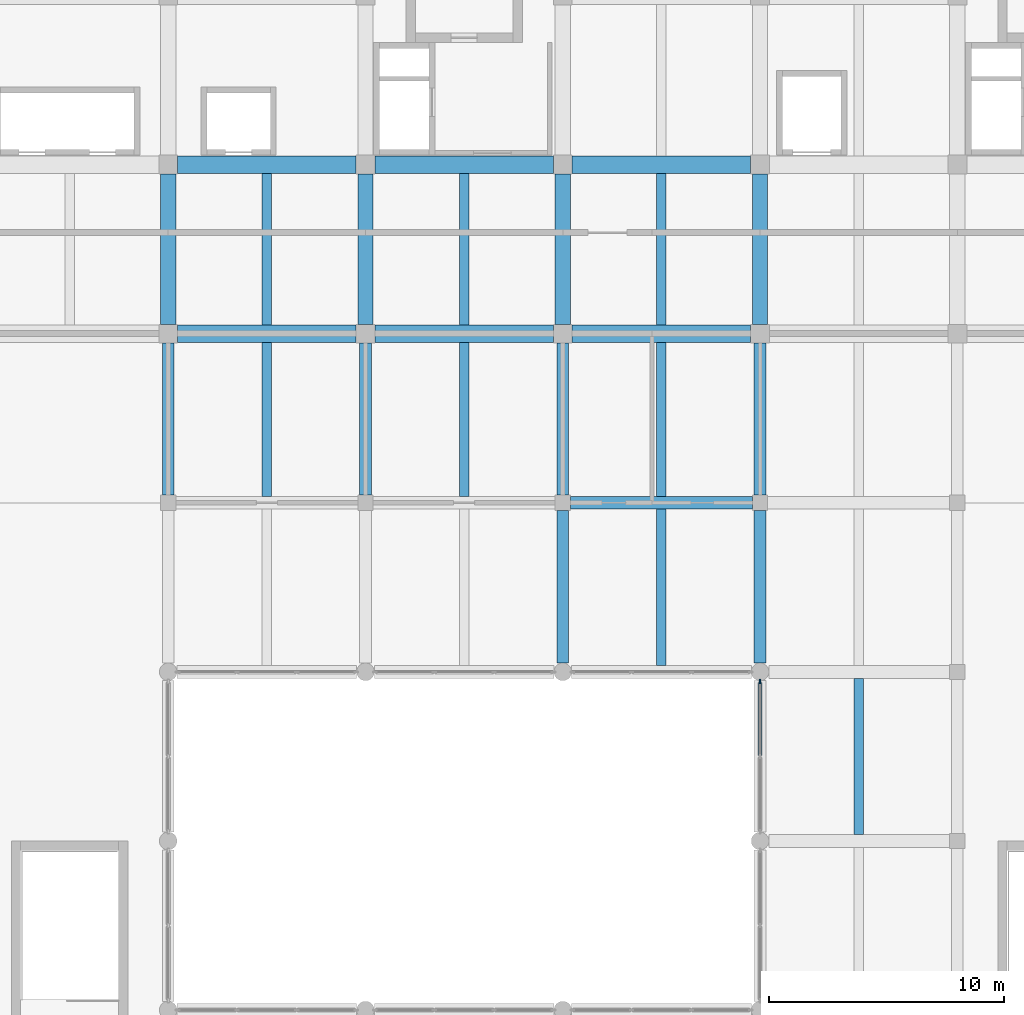
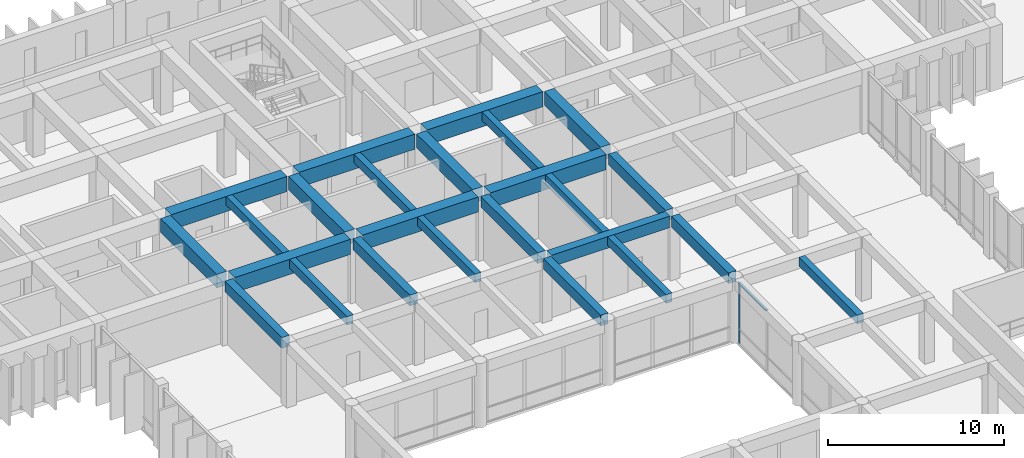
# One storey, part 18 of 40: 25 beams, 2 members, 1 element without a shape of its own.
"""IFC4 building model written with IfcOpenShell, lengths in metres."""

from ifc_helpers import new_model, si_unit, direction, frame, origin, origin_2d, place, context, subcontext, project, spatial, rectangle, extrude, material, material_profile, profile_set, type_object, element, aggregate, save


model = new_model("IFC4")

# Units and contexts
model_context = context("Model", 3, precision=1e-05, world=origin(), true_north=direction((0.0, 1.0)))
body_context = subcontext(model_context, "Body", "Model", "MODEL_VIEW")
ifc_project = project(units=[si_unit("LENGTHUNIT", "METRE"), si_unit("AREAUNIT", "SQUARE_METRE"), si_unit("VOLUMEUNIT", "CUBIC_METRE"), si_unit("PLANEANGLEUNIT", "RADIAN"), si_unit("MASSUNIT", "GRAM", prefix="KILO")], contexts=[model_context])

# Site, building, storey
site_placement = place(None, origin())
site = spatial("IfcSite", under=ifc_project, at=site_placement, CompositionType="ELEMENT")
building_placement = place(site_placement, origin())
building = spatial("IfcBuilding", under=site, at=building_placement, Name="Kenerak Square Central Library", CompositionType="ELEMENT")
storey_placement = place(building_placement, frame((0.0, 0.0, 14.39990234375)))
storey = spatial("IfcBuildingStorey", under=building, at=storey_placement, Name="L03", CompositionType="ELEMENT", Elevation=14.39990234375)

# Beams
ifc_material_1 = material(Name="Concrete C45/55", Category="concrete")
ifc_material_profile_1 = material_profile(ifc_material_1, rectangle(XDim=0.64990234375, YDim=0.949951171875, at=origin_2d()), Name="RC 650x950")
ifc_profile_set_1 = profile_set([ifc_material_profile_1], Name="Concrete C45/55")
beam_type_1 = type_object("IfcBeamType", Name="Book Stack Girder B-02 RC 650x950 C45/55", PredefinedType="BEAM", material=ifc_profile_set_1)
for number, where, z_axis, x_axis, name in (
    (1, (75.199951171875, 89.199951171875, 4.005126953125), (0.0, 1.0, 0.0), (-1.0, 0.0, 0.0), "Beam B-02 L03 1472"),
    (2, (83.60009765625, 89.199951171875, 4.005126953125), (0.0, 1.0, 0.0), (-1.0, 0.0, 0.0), "Beam B-02 L03 1478"),
    (3, (92.0, 89.199951171875, 4.005126953125), (0.0, 1.0, 0.0), (-1.0, 0.0, 0.0), "Beam B-02 L03 1484"),
    (4, (100.39990234375, 89.199951171875, 4.005126953125), (0.0, 1.0, 0.0), (-1.0, 0.0, 0.0), "Beam B-02 L03 1492"),
):
    element("IfcBeam", number, at=place(storey_placement, frame(where, z_axis=z_axis, x_axis=x_axis)), inside=storey, type_object=beam_type_1, Name=name, PredefinedType="BEAM", context=body_context, shape_type="SweptSolid", body=[
        extrude(rectangle(XDim=0.64990234375, YDim=0.949951171875, at=origin_2d()), origin(), (0.0, 0.0, 1.0), 6.400146484375),
    ])
ifc_material_profile_2 = material_profile(ifc_material_1, rectangle(XDim=0.75, YDim=1.050048828125, at=origin_2d()), Name="RC 750x1050")
ifc_profile_set_2 = profile_set([ifc_material_profile_2], Name="Concrete C45/55")
beam_type_2 = type_object("IfcBeamType", Name="Compact Stack Girder B-01 RC 750x1050 C45/55", PredefinedType="BEAM", material=ifc_profile_set_2)
beam_1_placement = place(storey_placement, frame((75.60009765625, 88.800048828125, 3.955078125), z_axis=(1.0, 0.0, 0.0), x_axis=(0.0, 1.0, 0.0)))
element("IfcBeam", 5, at=beam_1_placement, inside=storey, type_object=beam_type_2, Name="Beam B-01 L03 1437", PredefinedType="BEAM", context=body_context, shape_type="SweptSolid", body=[
    extrude(rectangle(XDim=0.75, YDim=1.050048828125, at=origin_2d()), origin(), (0.0, 0.0, 1.0), 7.599853515625),
])
for number, where, z_axis, x_axis, name in (
    (6, (84.0, 88.800048828125, 3.955078125), (1.0, 0.0, 0.0), (0.0, 1.0, 0.0), "Beam B-01 L03 1438"),
    (7, (92.39990234375, 88.800048828125, 3.955078125), (1.0, 0.0, 0.0), (0.0, 1.0, 0.0), "Beam B-01 L03 1439"),
):
    element("IfcBeam", number, at=place(storey_placement, frame(where, z_axis=z_axis, x_axis=x_axis)), inside=storey, type_object=beam_type_2, Name=name, PredefinedType="BEAM", context=body_context, shape_type="SweptSolid", body=[
        extrude(rectangle(XDim=0.75, YDim=1.050048828125, at=origin_2d()), origin(), (0.0, 0.0, 1.0), 7.60009765625),
    ])
beam_2_placement = place(storey_placement, frame((75.60009765625, 96.0, 3.955078125), z_axis=(1.0, 0.0, 0.0), x_axis=(0.0, 1.0, 0.0)))
element("IfcBeam", 8, at=beam_2_placement, inside=storey, type_object=beam_type_2, Name="Beam B-01 L03 1445", PredefinedType="BEAM", context=body_context, shape_type="SweptSolid", body=[
    extrude(rectangle(XDim=0.75, YDim=1.050048828125, at=origin_2d()), origin(), (0.0, 0.0, 1.0), 7.599853515625),
])
for number, where, z_axis, x_axis, name in (
    (9, (84.0, 96.0, 3.955078125), (1.0, 0.0, 0.0), (0.0, 1.0, 0.0), "Beam B-01 L03 1446"),
    (10, (92.39990234375, 96.0, 3.955078125), (1.0, 0.0, 0.0), (0.0, 1.0, 0.0), "Beam B-01 L03 1447"),
):
    element("IfcBeam", number, at=place(storey_placement, frame(where, z_axis=z_axis, x_axis=x_axis)), inside=storey, type_object=beam_type_2, Name=name, PredefinedType="BEAM", context=body_context, shape_type="SweptSolid", body=[
        extrude(rectangle(XDim=0.75, YDim=1.050048828125, at=origin_2d()), origin(), (0.0, 0.0, 1.0), 7.60009765625),
    ])

# Curtain wall, members
ifc_material_2 = material(Name="Intumescent fire-resisting glazing EI 60", Category="glass")
curtain_wall_type = type_object("IfcCurtainWallType", Name="Curtain Wall CW-AT60-64x42 6450x4230", PredefinedType="USERDEFINED", material=ifc_material_2)
curtain_wall_placement = place(storey_placement, origin())
curtain_wall = element("IfcCurtainWall", 11, at=curtain_wall_placement, inside=storey, type_object=curtain_wall_type, Name="Atrium Fire-Rated Glazed Screen CW-AT60-64x42 L03 0171", ObjectType="CURTAIN WALL", PredefinedType="USERDEFINED")
ifc_material_3 = material(Name="Anodised aluminium 6063-T6", Category="aluminium")
ifc_material_profile_3 = material_profile(ifc_material_3, rectangle(XDim=0.070068359375, YDim=0.199951171875, at=origin_2d()), Name="AL MULLION 70x200")
ifc_profile_set_3 = profile_set([ifc_material_profile_3], Name="Anodised aluminium 6063-T6")
member_type_1 = type_object("IfcMemberType", Name="Fire-Rated Glazing Mullion CM-05 70x200", PredefinedType="MULLION", material=ifc_profile_set_3)
member_1_placement = place(storey_placement, frame((100.39990234375, 73.989990234375, 0.0), z_axis=(0.0, 0.0, 1.0), x_axis=(-1.0, 0.0, 0.0)))
member_1 = element("IfcMember", 12, at=member_1_placement, type_object=member_type_1, Name="CW-AT60-64x42 Mullion 3", PredefinedType="MULLION", context=body_context, shape_type="SweptSolid", body=[
    extrude(rectangle(XDim=0.070068359375, YDim=0.199951171875, at=origin_2d()), origin(), (0.0, 0.0, 1.0), 4.22998046875),
])
ifc_material_profile_4 = material_profile(ifc_material_3, rectangle(XDim=0.179931640625, YDim=0.070068359375, at=origin_2d()), Name="AL TRANSOM 180x70")
ifc_profile_set_4 = profile_set([ifc_material_profile_4], Name="Anodised aluminium 6063-T6")
member_type_2 = type_object("IfcMemberType", Name="Fire-Rated Glazing Transom CT-15 180x70", PredefinedType="USERDEFINED", material=ifc_profile_set_4)
member_2_placement = place(storey_placement, frame((100.39990234375, 70.8349609375, 4.195068359375), z_axis=(0.0, 1.0, 0.0), x_axis=(-1.0, 0.0, 0.0)))
member_2 = element("IfcMember", 13, at=member_2_placement, type_object=member_type_2, Name="CW-AT60-64x42 Transom 2.3", ObjectType="TRANSOM", PredefinedType="USERDEFINED", context=body_context, shape_type="SweptSolid", body=[
    extrude(rectangle(XDim=0.179931640625, YDim=0.070068359375, at=origin_2d()), origin(), (0.0, 0.0, 1.0), 3.1201171875),
])
aggregate(curtain_wall, [member_1, member_2])

# Beams
ifc_material_4 = material(Name="Concrete C40/50", Category="concrete")
ifc_material_profile_5 = material_profile(ifc_material_4, rectangle(XDim=0.550048828125, YDim=0.800048828125, at=origin_2d()), Name="RC 550x800")
ifc_profile_set_5 = profile_set([ifc_material_profile_5], Name="Concrete C40/50")
beam_type_3 = type_object("IfcBeamType", Name="Primary Reading Beam B-04 RC 550x800 C40/50", PredefinedType="BEAM", material=ifc_profile_set_5)
beam_3_placement = place(storey_placement, frame((92.324951171875, 81.60009765625, 4.080078125), z_axis=(1.0, 0.0, 0.0), x_axis=(0.0, 1.0, 0.0)))
element("IfcBeam", 14, at=beam_3_placement, inside=storey, type_object=beam_type_3, Name="Beam B-04 L03 1433", PredefinedType="BEAM", context=body_context, shape_type="SweptSolid", body=[
    extrude(rectangle(XDim=0.550048828125, YDim=0.800048828125, at=origin_2d()), origin(), (0.0, 0.0, 1.0), 7.75),
])
ifc_material_profile_6 = material_profile(ifc_material_4, rectangle(XDim=0.39990234375, YDim=0.60009765625, at=origin_2d()), Name="RC 400x600")
ifc_profile_set_6 = profile_set([ifc_material_profile_6], Name="Concrete C40/50")
beam_type_4 = type_object("IfcBeamType", Name="Secondary Floor Joist J-01 RC 400x600 C40/50", PredefinedType="JOIST", material=ifc_profile_set_6)
beam_4_placement = place(storey_placement, frame((79.39990234375, 81.875, 4.18017578125), z_axis=(0.0, 1.0, 0.0), x_axis=(-1.0, 0.0, 0.0)))
element("IfcBeam", 15, at=beam_4_placement, inside=storey, type_object=beam_type_4, Name="Joist J-01 L03 1513", PredefinedType="JOIST", context=body_context, shape_type="SweptSolid", body=[
    extrude(rectangle(XDim=0.39990234375, YDim=0.60009765625, at=origin_2d()), origin(), (0.0, 0.0, 1.0), 6.550048828125),
])
beam_5_placement = place(storey_placement, frame((79.39990234375, 89.175048828125, 4.18017578125), z_axis=(0.0, 1.0, 0.0), x_axis=(-1.0, 0.0, 0.0)))
element("IfcBeam", 16, at=beam_5_placement, inside=storey, type_object=beam_type_4, Name="Joist J-01 L03 1514", PredefinedType="JOIST", context=body_context, shape_type="SweptSolid", body=[
    extrude(rectangle(XDim=0.39990234375, YDim=0.60009765625, at=origin_2d()), origin(), (0.0, 0.0, 1.0), 6.449951171875),
])
beam_6_placement = place(storey_placement, frame((87.800048828125, 81.875, 4.18017578125), z_axis=(0.0, 1.0, 0.0), x_axis=(-1.0, 0.0, 0.0)))
element("IfcBeam", 17, at=beam_6_placement, inside=storey, type_object=beam_type_4, Name="Joist J-01 L03 1517", PredefinedType="JOIST", context=body_context, shape_type="SweptSolid", body=[
    extrude(rectangle(XDim=0.39990234375, YDim=0.60009765625, at=origin_2d()), origin(), (0.0, 0.0, 1.0), 6.550048828125),
])
beam_7_placement = place(storey_placement, frame((87.800048828125, 89.175048828125, 4.18017578125), z_axis=(0.0, 1.0, 0.0), x_axis=(-1.0, 0.0, 0.0)))
element("IfcBeam", 18, at=beam_7_placement, inside=storey, type_object=beam_type_4, Name="Joist J-01 L03 1518", PredefinedType="JOIST", context=body_context, shape_type="SweptSolid", body=[
    extrude(rectangle(XDim=0.39990234375, YDim=0.60009765625, at=origin_2d()), origin(), (0.0, 0.0, 1.0), 6.449951171875),
])
beam_8_placement = place(storey_placement, frame((96.199951171875, 74.675048828125, 4.18017578125), z_axis=(0.0, 1.0, 0.0), x_axis=(-1.0, 0.0, 0.0)))
element("IfcBeam", 19, at=beam_8_placement, inside=storey, type_object=beam_type_4, Name="Joist J-01 L03 1519", PredefinedType="JOIST", context=body_context, shape_type="SweptSolid", body=[
    extrude(rectangle(XDim=0.39990234375, YDim=0.60009765625, at=origin_2d()), origin(), (0.0, 0.0, 1.0), 6.64990234375),
])
beam_9_placement = place(storey_placement, frame((96.199951171875, 81.875, 4.18017578125), z_axis=(0.0, 1.0, 0.0), x_axis=(-1.0, 0.0, 0.0)))
element("IfcBeam", 20, at=beam_9_placement, inside=storey, type_object=beam_type_4, Name="Joist J-01 L03 1520", PredefinedType="JOIST", context=body_context, shape_type="SweptSolid", body=[
    extrude(rectangle(XDim=0.39990234375, YDim=0.60009765625, at=origin_2d()), origin(), (0.0, 0.0, 1.0), 6.550048828125),
])
beam_10_placement = place(storey_placement, frame((96.199951171875, 89.175048828125, 4.18017578125), z_axis=(0.0, 1.0, 0.0), x_axis=(-1.0, 0.0, 0.0)))
element("IfcBeam", 21, at=beam_10_placement, inside=storey, type_object=beam_type_4, Name="Joist J-01 L03 1521", PredefinedType="JOIST", context=body_context, shape_type="SweptSolid", body=[
    extrude(rectangle(XDim=0.39990234375, YDim=0.60009765625, at=origin_2d()), origin(), (0.0, 0.0, 1.0), 6.449951171875),
])
beam_11_placement = place(storey_placement, frame((104.60009765625, 67.47509765625, 4.18017578125), z_axis=(0.0, 1.0, 0.0), x_axis=(-1.0, 0.0, 0.0)))
element("IfcBeam", 22, at=beam_11_placement, inside=storey, type_object=beam_type_4, Name="Joist J-01 L03 1525", PredefinedType="JOIST", context=body_context, shape_type="SweptSolid", body=[
    extrude(rectangle(XDim=0.39990234375, YDim=0.60009765625, at=origin_2d()), origin(), (0.0, 0.0, 1.0), 6.64990234375),
])
ifc_material_profile_7 = material_profile(ifc_material_4, rectangle(XDim=0.5, YDim=0.75, at=origin_2d()), Name="RC 500x750")
ifc_profile_set_7 = profile_set([ifc_material_profile_7], Name="Concrete C40/50")
beam_type_5 = type_object("IfcBeamType", Name="Transverse Frame Beam B-05 RC 500x750 C40/50", PredefinedType="BEAM", material=ifc_profile_set_7)
for number, where, z_axis, x_axis, name in (
    (23, (75.199951171875, 81.925048828125, 4.10498046875), (0.0, 1.0, 0.0), (-1.0, 0.0, 0.0), "Beam B-05 L03 1471"),
    (24, (83.60009765625, 81.925048828125, 4.10498046875), (0.0, 1.0, 0.0), (-1.0, 0.0, 0.0), "Beam B-05 L03 1477"),
):
    element("IfcBeam", number, at=place(storey_placement, frame(where, z_axis=z_axis, x_axis=x_axis)), inside=storey, type_object=beam_type_5, Name=name, PredefinedType="BEAM", context=body_context, shape_type="SweptSolid", body=[
        extrude(rectangle(XDim=0.5, YDim=0.75, at=origin_2d()), origin(), (0.0, 0.0, 1.0), 6.474853515625),
    ])
beam_12_placement = place(storey_placement, frame((92.0, 74.77490234375, 4.10498046875), z_axis=(0.0, 1.0, 0.0), x_axis=(-1.0, 0.0, 0.0)))
element("IfcBeam", 25, at=beam_12_placement, inside=storey, type_object=beam_type_5, Name="Beam B-05 L03 1482", PredefinedType="BEAM", context=body_context, shape_type="SweptSolid", body=[
    extrude(rectangle(XDim=0.5, YDim=0.75, at=origin_2d()), origin(), (0.0, 0.0, 1.0), 6.5),
])
beam_13_placement = place(storey_placement, frame((92.0, 81.925048828125, 4.10498046875), z_axis=(0.0, 1.0, 0.0), x_axis=(-1.0, 0.0, 0.0)))
element("IfcBeam", 26, at=beam_13_placement, inside=storey, type_object=beam_type_5, Name="Beam B-05 L03 1483", PredefinedType="BEAM", context=body_context, shape_type="SweptSolid", body=[
    extrude(rectangle(XDim=0.5, YDim=0.75, at=origin_2d()), origin(), (0.0, 0.0, 1.0), 6.474853515625),
])
beam_14_placement = place(storey_placement, frame((100.39990234375, 74.77490234375, 4.10498046875), z_axis=(0.0, 1.0, 0.0), x_axis=(-1.0, 0.0, 0.0)))
element("IfcBeam", 27, at=beam_14_placement, inside=storey, type_object=beam_type_5, Name="Beam B-05 L03 1490", PredefinedType="BEAM", context=body_context, shape_type="SweptSolid", body=[
    extrude(rectangle(XDim=0.5, YDim=0.75, at=origin_2d()), origin(), (0.0, 0.0, 1.0), 6.5),
])
beam_15_placement = place(storey_placement, frame((100.39990234375, 81.925048828125, 4.10498046875), z_axis=(0.0, 1.0, 0.0), x_axis=(-1.0, 0.0, 0.0)))
element("IfcBeam", 28, at=beam_15_placement, inside=storey, type_object=beam_type_5, Name="Beam B-05 L03 1491", PredefinedType="BEAM", context=body_context, shape_type="SweptSolid", body=[
    extrude(rectangle(XDim=0.5, YDim=0.75, at=origin_2d()), origin(), (0.0, 0.0, 1.0), 6.474853515625),
])

save(model, "model.ifc")
